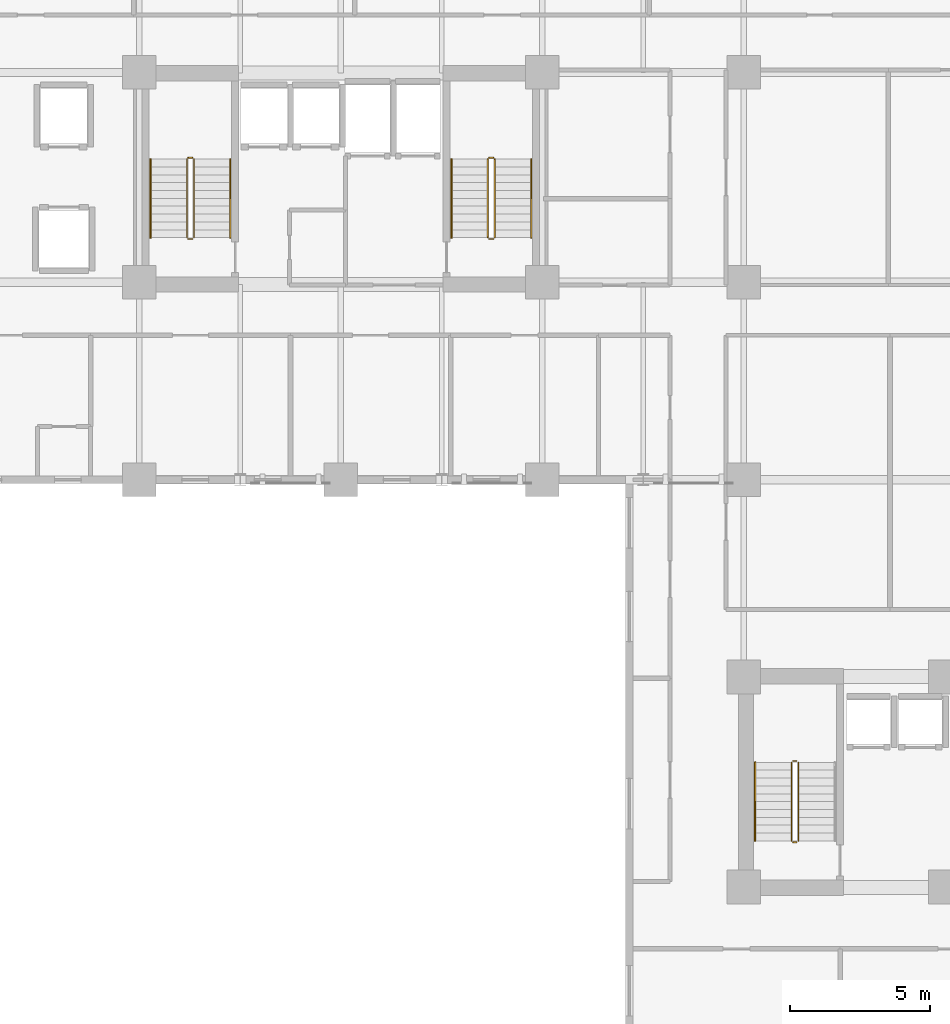
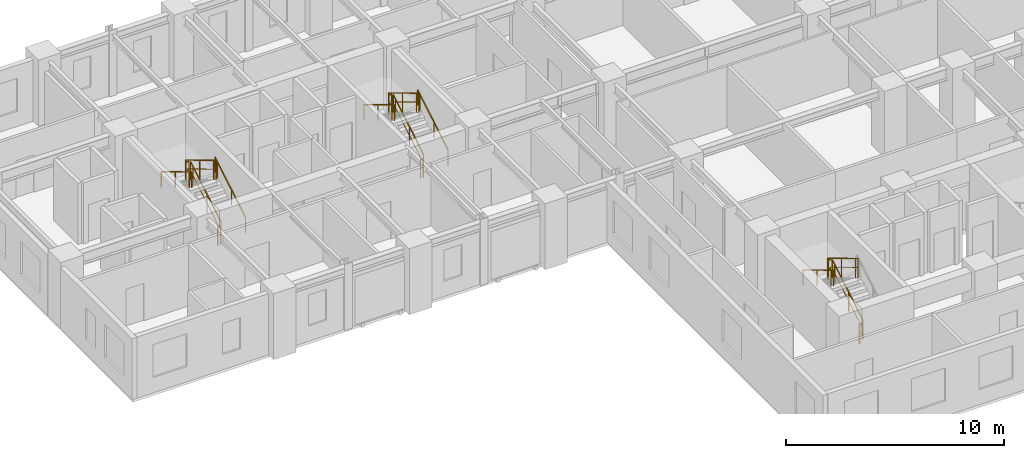
# One storey, part 9 of 11: 17 railings.
"""IFC4 building model written with IfcOpenShell, lengths in metres."""

from ifc_helpers import new_model, si_unit, direction, frame, origin, origin_2d, place, context, subcontext, project, spatial, rectangle, extrude, material, type_object, element, save


model = new_model("IFC4")

# Units and contexts
model_context = context("Model", 3, precision=1e-05, world=origin(), true_north=direction((0.0, 1.0)))
body_context = subcontext(model_context, "Body", "Model", "MODEL_VIEW")
ifc_project = project(units=[si_unit("LENGTHUNIT", "METRE"), si_unit("AREAUNIT", "SQUARE_METRE"), si_unit("VOLUMEUNIT", "CUBIC_METRE"), si_unit("PLANEANGLEUNIT", "RADIAN"), si_unit("MASSUNIT", "GRAM", prefix="KILO")], contexts=[model_context])

# Site, building, storey
site_placement = place(None, origin())
site = spatial("IfcSite", under=ifc_project, at=site_placement, CompositionType="ELEMENT")
building_placement = place(site_placement, origin())
building = spatial("IfcBuilding", under=site, at=building_placement, Name="Kaliganga Portal Commons", CompositionType="ELEMENT")
storey_placement = place(building_placement, frame((0.0, 0.0, 104.5)))
storey = spatial("IfcBuildingStorey", under=building, at=storey_placement, Name="L26", CompositionType="ELEMENT", Elevation=104.5)

# Railings
ifc_material_1 = material(Name="Galvanized Painted Steel Balustrade", Category="steel")
railing_type_1 = type_object("IfcRailingType", Name="RLG-STAIR-GRD", PredefinedType="GUARDRAIL", material=ifc_material_1)
railing_1_placement = place(storey_placement, frame((16.35009765625, 30.25, 0.168212890625)))
element("IfcRailing", 1, at=railing_1_placement, inside=storey, type_object=railing_type_1, Name="L26 ST-A1 stair guard 1", PredefinedType="GUARDRAIL", context=body_context, shape_type="SweptSolid", body=[
    extrude(rectangle(XDim=0.048095703125, YDim=0.048095703125, at=origin_2d()), frame((0.0, 0.0, 1.072021484375), z_axis=(0.0, 0.857242210791, 0.514913383045), x_axis=(-1.0, 0.0, 0.0)), (0.0, 0.0, 1.0), 3.266357421875),
    extrude(rectangle(XDim=0.028076171875, YDim=0.028076171875, at=origin_2d()), frame((0.0, 0.0, 0.572021484375), z_axis=(0.0, 0.857242210791, 0.514913383045), x_axis=(-1.0, 0.0, 0.0)), (0.0, 0.0, 1.0), 3.266357421875),
    extrude(rectangle(XDim=0.0419921875, YDim=0.0419921875, at=origin_2d()), origin(), (0.0, 0.0, 1.0), 1.052001953125),
    extrude(rectangle(XDim=0.0419921875, YDim=0.0419921875, at=origin_2d()), frame((0.0, 1.285888671875, 0.7724609375)), (0.0, 0.0, 1.0), 1.052001953125),
    extrude(rectangle(XDim=0.0419921875, YDim=0.0419921875, at=origin_2d()), frame((0.0, 2.57177734375, 1.544677734375)), (0.0, 0.0, 1.0), 1.052001953125),
    extrude(rectangle(XDim=0.0419921875, YDim=0.0419921875, at=origin_2d()), frame((0.0, 2.800048828125, 1.681884765625)), (0.0, 0.0, 1.0), 1.052001953125),
])
railing_2_placement = place(storey_placement, frame((16.300048828125, 33.10009765625, 1.85009765625)))
element("IfcRailing", 2, at=railing_2_placement, inside=storey, type_object=railing_type_1, Name="L26 ST-A1 stair guard 2", PredefinedType="GUARDRAIL", context=body_context, shape_type="SweptSolid", body=[
    extrude(rectangle(XDim=0.048095703125, YDim=0.048095703125, at=origin_2d()), frame((0.0, 0.0, 1.076171875), z_axis=(-1.0, 0.0, 0.0), x_axis=(0.0, -1.0, 0.0)), (0.0, 0.0, 1.0), 0.150146484375),
    extrude(rectangle(XDim=0.028076171875, YDim=0.028076171875, at=origin_2d()), frame((0.0, 0.0, 0.572021484375), z_axis=(-1.0, 0.0, 0.0), x_axis=(0.0, -1.0, 0.0)), (0.0, 0.0, 1.0), 0.150146484375),
    extrude(rectangle(XDim=0.0419921875, YDim=0.0419921875, at=origin_2d()), origin(), (0.0, 0.0, 1.0), 1.052001953125),
    extrude(rectangle(XDim=0.0419921875, YDim=0.0419921875, at=origin_2d()), frame((-0.150146484375, 0.0, 0.0)), (0.0, 0.0, 1.0), 1.052001953125),
])
railing_3_placement = place(storey_placement, frame((16.10009765625, 33.050048828125, 2.01806640625)))
element("IfcRailing", 3, at=railing_3_placement, inside=storey, type_object=railing_type_1, Name="L26 ST-A1 stair guard 3", PredefinedType="GUARDRAIL", context=body_context, shape_type="SweptSolid", body=[
    extrude(rectangle(XDim=0.048095703125, YDim=0.048095703125, at=origin_2d()), frame((0.0, 0.0, 1.072021484375), z_axis=(0.0, -0.857242210791, 0.514913383045), x_axis=(1.0, 0.0, 0.0)), (0.0, 0.0, 1.0), 3.266357421875),
    extrude(rectangle(XDim=0.028076171875, YDim=0.028076171875, at=origin_2d()), frame((0.0, 0.0, 0.572021484375), z_axis=(0.0, -0.857242210791, 0.514913383045), x_axis=(1.0, 0.0, 0.0)), (0.0, 0.0, 1.0), 3.266357421875),
    extrude(rectangle(XDim=0.0419921875, YDim=0.0419921875, at=origin_2d()), origin(), (0.0, 0.0, 1.0), 1.052001953125),
    extrude(rectangle(XDim=0.0419921875, YDim=0.0419921875, at=origin_2d()), frame((0.0, -1.285888671875, 0.7724609375)), (0.0, 0.0, 1.0), 1.052001953125),
    extrude(rectangle(XDim=0.0419921875, YDim=0.0419921875, at=origin_2d()), frame((0.0, -2.57177734375, 1.544677734375)), (0.0, 0.0, 1.0), 1.052001953125),
    extrude(rectangle(XDim=0.0419921875, YDim=0.0419921875, at=origin_2d()), frame((0.0, -2.800048828125, 1.681884765625)), (0.0, 0.0, 1.0), 1.052001953125),
])
railing_4_placement = place(storey_placement, frame((16.300048828125, 30.199951171875, 0.0)))
element("IfcRailing", 4, at=railing_4_placement, inside=storey, type_object=railing_type_1, Name="L26 ST-A1 stair guard 4", PredefinedType="GUARDRAIL", context=body_context, shape_type="SweptSolid", body=[
    extrude(rectangle(XDim=0.048095703125, YDim=0.048095703125, at=origin_2d()), frame((0.0, 0.0, 1.076171875), z_axis=(-1.0, 0.0, 0.0), x_axis=(0.0, -1.0, 0.0)), (0.0, 0.0, 1.0), 0.150146484375),
    extrude(rectangle(XDim=0.028076171875, YDim=0.028076171875, at=origin_2d()), frame((0.0, 0.0, 0.572021484375), z_axis=(-1.0, 0.0, 0.0), x_axis=(0.0, -1.0, 0.0)), (0.0, 0.0, 1.0), 0.150146484375),
    extrude(rectangle(XDim=0.0419921875, YDim=0.0419921875, at=origin_2d()), origin(), (0.0, 0.0, 1.0), 1.052001953125),
    extrude(rectangle(XDim=0.0419921875, YDim=0.0419921875, at=origin_2d()), frame((-0.150146484375, 0.0, 0.0)), (0.0, 0.0, 1.0), 1.052001953125),
])
railing_5_placement = place(storey_placement, frame((27.10009765625, 30.25, 0.168212890625)))
element("IfcRailing", 5, at=railing_5_placement, inside=storey, type_object=railing_type_1, Name="L26 ST-A2 stair guard 1", PredefinedType="GUARDRAIL", context=body_context, shape_type="SweptSolid", body=[
    extrude(rectangle(XDim=0.048095703125, YDim=0.048095703125, at=origin_2d()), frame((0.0, 0.0, 1.072021484375), z_axis=(0.0, 0.857242210791, 0.514913383045), x_axis=(-1.0, 0.0, 0.0)), (0.0, 0.0, 1.0), 3.266357421875),
    extrude(rectangle(XDim=0.028076171875, YDim=0.028076171875, at=origin_2d()), frame((0.0, 0.0, 0.572021484375), z_axis=(0.0, 0.857242210791, 0.514913383045), x_axis=(-1.0, 0.0, 0.0)), (0.0, 0.0, 1.0), 3.266357421875),
    extrude(rectangle(XDim=0.0419921875, YDim=0.0419921875, at=origin_2d()), origin(), (0.0, 0.0, 1.0), 1.052001953125),
    extrude(rectangle(XDim=0.0419921875, YDim=0.0419921875, at=origin_2d()), frame((0.0, 1.285888671875, 0.7724609375)), (0.0, 0.0, 1.0), 1.052001953125),
    extrude(rectangle(XDim=0.0419921875, YDim=0.0419921875, at=origin_2d()), frame((0.0, 2.57177734375, 1.544677734375)), (0.0, 0.0, 1.0), 1.052001953125),
    extrude(rectangle(XDim=0.0419921875, YDim=0.0419921875, at=origin_2d()), frame((0.0, 2.800048828125, 1.681884765625)), (0.0, 0.0, 1.0), 1.052001953125),
])
railing_6_placement = place(storey_placement, frame((27.050048828125, 33.10009765625, 1.85009765625)))
element("IfcRailing", 6, at=railing_6_placement, inside=storey, type_object=railing_type_1, Name="L26 ST-A2 stair guard 2", PredefinedType="GUARDRAIL", context=body_context, shape_type="SweptSolid", body=[
    extrude(rectangle(XDim=0.048095703125, YDim=0.048095703125, at=origin_2d()), frame((0.0, 0.0, 1.076171875), z_axis=(-1.0, 0.0, 0.0), x_axis=(0.0, -1.0, 0.0)), (0.0, 0.0, 1.0), 0.150146484375),
    extrude(rectangle(XDim=0.028076171875, YDim=0.028076171875, at=origin_2d()), frame((0.0, 0.0, 0.572021484375), z_axis=(-1.0, 0.0, 0.0), x_axis=(0.0, -1.0, 0.0)), (0.0, 0.0, 1.0), 0.150146484375),
    extrude(rectangle(XDim=0.0419921875, YDim=0.0419921875, at=origin_2d()), origin(), (0.0, 0.0, 1.0), 1.052001953125),
    extrude(rectangle(XDim=0.0419921875, YDim=0.0419921875, at=origin_2d()), frame((-0.150146484375, 0.0, 0.0)), (0.0, 0.0, 1.0), 1.052001953125),
])
railing_7_placement = place(storey_placement, frame((26.85009765625, 33.050048828125, 2.01806640625)))
element("IfcRailing", 7, at=railing_7_placement, inside=storey, type_object=railing_type_1, Name="L26 ST-A2 stair guard 3", PredefinedType="GUARDRAIL", context=body_context, shape_type="SweptSolid", body=[
    extrude(rectangle(XDim=0.048095703125, YDim=0.048095703125, at=origin_2d()), frame((0.0, 0.0, 1.072021484375), z_axis=(0.0, -0.857242210791, 0.514913383045), x_axis=(1.0, 0.0, 0.0)), (0.0, 0.0, 1.0), 3.266357421875),
    extrude(rectangle(XDim=0.028076171875, YDim=0.028076171875, at=origin_2d()), frame((0.0, 0.0, 0.572021484375), z_axis=(0.0, -0.857242210791, 0.514913383045), x_axis=(1.0, 0.0, 0.0)), (0.0, 0.0, 1.0), 3.266357421875),
    extrude(rectangle(XDim=0.0419921875, YDim=0.0419921875, at=origin_2d()), origin(), (0.0, 0.0, 1.0), 1.052001953125),
    extrude(rectangle(XDim=0.0419921875, YDim=0.0419921875, at=origin_2d()), frame((0.0, -1.285888671875, 0.7724609375)), (0.0, 0.0, 1.0), 1.052001953125),
    extrude(rectangle(XDim=0.0419921875, YDim=0.0419921875, at=origin_2d()), frame((0.0, -2.57177734375, 1.544677734375)), (0.0, 0.0, 1.0), 1.052001953125),
    extrude(rectangle(XDim=0.0419921875, YDim=0.0419921875, at=origin_2d()), frame((0.0, -2.800048828125, 1.681884765625)), (0.0, 0.0, 1.0), 1.052001953125),
])
railing_8_placement = place(storey_placement, frame((27.050048828125, 30.199951171875, 0.0)))
element("IfcRailing", 8, at=railing_8_placement, inside=storey, type_object=railing_type_1, Name="L26 ST-A2 stair guard 4", PredefinedType="GUARDRAIL", context=body_context, shape_type="SweptSolid", body=[
    extrude(rectangle(XDim=0.048095703125, YDim=0.048095703125, at=origin_2d()), frame((0.0, 0.0, 1.076171875), z_axis=(-1.0, 0.0, 0.0), x_axis=(0.0, -1.0, 0.0)), (0.0, 0.0, 1.0), 0.150146484375),
    extrude(rectangle(XDim=0.028076171875, YDim=0.028076171875, at=origin_2d()), frame((0.0, 0.0, 0.572021484375), z_axis=(-1.0, 0.0, 0.0), x_axis=(0.0, -1.0, 0.0)), (0.0, 0.0, 1.0), 0.150146484375),
    extrude(rectangle(XDim=0.0419921875, YDim=0.0419921875, at=origin_2d()), origin(), (0.0, 0.0, 1.0), 1.052001953125),
    extrude(rectangle(XDim=0.0419921875, YDim=0.0419921875, at=origin_2d()), frame((-0.150146484375, 0.0, 0.0)), (0.0, 0.0, 1.0), 1.052001953125),
])
railing_9_placement = place(storey_placement, frame((37.949951171875, 8.699951171875, 0.168212890625)))
element("IfcRailing", 9, at=railing_9_placement, inside=storey, type_object=railing_type_1, Name="L26 ST-B1 stair guard 1", PredefinedType="GUARDRAIL", context=body_context, shape_type="SweptSolid", body=[
    extrude(rectangle(XDim=0.048095703125, YDim=0.048095703125, at=origin_2d()), frame((0.0, 0.0, 1.072021484375), z_axis=(0.0, 0.857242210791, 0.514913383045), x_axis=(-1.0, 0.0, 0.0)), (0.0, 0.0, 1.0), 3.266357421875),
    extrude(rectangle(XDim=0.028076171875, YDim=0.028076171875, at=origin_2d()), frame((0.0, 0.0, 0.572021484375), z_axis=(0.0, 0.857242210791, 0.514913383045), x_axis=(-1.0, 0.0, 0.0)), (0.0, 0.0, 1.0), 3.266357421875),
    extrude(rectangle(XDim=0.0419921875, YDim=0.0419921875, at=origin_2d()), origin(), (0.0, 0.0, 1.0), 1.052001953125),
    extrude(rectangle(XDim=0.0419921875, YDim=0.0419921875, at=origin_2d()), frame((0.0, 1.285888671875, 0.7724609375)), (0.0, 0.0, 1.0), 1.052001953125),
    extrude(rectangle(XDim=0.0419921875, YDim=0.0419921875, at=origin_2d()), frame((0.0, 2.57177734375, 1.544677734375)), (0.0, 0.0, 1.0), 1.052001953125),
    extrude(rectangle(XDim=0.0419921875, YDim=0.0419921875, at=origin_2d()), frame((0.0, 2.800048828125, 1.681884765625)), (0.0, 0.0, 1.0), 1.052001953125),
])
railing_10_placement = place(storey_placement, frame((37.89990234375, 11.550048828125, 1.85009765625)))
element("IfcRailing", 10, at=railing_10_placement, inside=storey, type_object=railing_type_1, Name="L26 ST-B1 stair guard 2", PredefinedType="GUARDRAIL", context=body_context, shape_type="SweptSolid", body=[
    extrude(rectangle(XDim=0.048095703125, YDim=0.048095703125, at=origin_2d()), frame((0.0, 0.0, 1.076171875), z_axis=(-1.0, 0.0, 0.0), x_axis=(0.0, -1.0, 0.0)), (0.0, 0.0, 1.0), 0.14990234375),
    extrude(rectangle(XDim=0.028076171875, YDim=0.028076171875, at=origin_2d()), frame((0.0, 0.0, 0.572021484375), z_axis=(-1.0, 0.0, 0.0), x_axis=(0.0, -1.0, 0.0)), (0.0, 0.0, 1.0), 0.14990234375),
    extrude(rectangle(XDim=0.0419921875, YDim=0.0419921875, at=origin_2d()), frame((-0.14990234375, 0.0, 0.0)), (0.0, 0.0, 1.0), 1.052001953125),
])
railing_11_placement = place(storey_placement, frame((37.699951171875, 11.5, 2.01806640625)))
element("IfcRailing", 11, at=railing_11_placement, inside=storey, type_object=railing_type_1, Name="L26 ST-B1 stair guard 3", PredefinedType="GUARDRAIL", context=body_context, shape_type="SweptSolid", body=[
    extrude(rectangle(XDim=0.048095703125, YDim=0.048095703125, at=origin_2d()), frame((0.0, 0.0, 1.072021484375), z_axis=(0.0, -0.857242210791, 0.514913383045), x_axis=(1.0, 0.0, 0.0)), (0.0, 0.0, 1.0), 3.266357421875),
    extrude(rectangle(XDim=0.028076171875, YDim=0.028076171875, at=origin_2d()), frame((0.0, 0.0, 0.572021484375), z_axis=(0.0, -0.857242210791, 0.514913383045), x_axis=(1.0, 0.0, 0.0)), (0.0, 0.0, 1.0), 3.266357421875),
    extrude(rectangle(XDim=0.0419921875, YDim=0.0419921875, at=origin_2d()), origin(), (0.0, 0.0, 1.0), 1.052001953125),
    extrude(rectangle(XDim=0.0419921875, YDim=0.0419921875, at=origin_2d()), frame((0.0, -1.285888671875, 0.7724609375)), (0.0, 0.0, 1.0), 1.052001953125),
    extrude(rectangle(XDim=0.0419921875, YDim=0.0419921875, at=origin_2d()), frame((0.0, -2.57177734375, 1.544677734375)), (0.0, 0.0, 1.0), 1.052001953125),
    extrude(rectangle(XDim=0.0419921875, YDim=0.0419921875, at=origin_2d()), frame((0.0, -2.800048828125, 1.681884765625)), (0.0, 0.0, 1.0), 1.052001953125),
])
railing_12_placement = place(storey_placement, frame((37.89990234375, 8.64990234375, 0.0)))
element("IfcRailing", 12, at=railing_12_placement, inside=storey, type_object=railing_type_1, Name="L26 ST-B1 stair guard 4", PredefinedType="GUARDRAIL", context=body_context, shape_type="SweptSolid", body=[
    extrude(rectangle(XDim=0.048095703125, YDim=0.048095703125, at=origin_2d()), frame((0.0, 0.0, 1.076171875), z_axis=(-1.0, 0.0, 0.0), x_axis=(0.0, -1.0, 0.0)), (0.0, 0.0, 1.0), 0.14990234375),
    extrude(rectangle(XDim=0.028076171875, YDim=0.028076171875, at=origin_2d()), frame((0.0, 0.0, 0.572021484375), z_axis=(-1.0, 0.0, 0.0), x_axis=(0.0, -1.0, 0.0)), (0.0, 0.0, 1.0), 0.14990234375),
    extrude(rectangle(XDim=0.0419921875, YDim=0.0419921875, at=origin_2d()), frame((-0.14990234375, 0.0, 0.0)), (0.0, 0.0, 1.0), 1.052001953125),
])
ifc_material_2 = material(Name="Brushed Stainless Steel 316", Category="steel")
railing_type_2 = type_object("IfcRailingType", Name="RLG-STAIR-HR", PredefinedType="HANDRAIL", material=ifc_material_2)
railing_13_placement = place(storey_placement, frame((17.64990234375, 30.25, 0.168212890625)))
element("IfcRailing", 13, at=railing_13_placement, inside=storey, type_object=railing_type_2, Name="L26 ST-A1 stair handrail 1", PredefinedType="HANDRAIL", context=body_context, shape_type="SweptSolid", body=[
    extrude(rectangle(XDim=0.048095703125, YDim=0.048095703125, at=origin_2d()), frame((0.0, 0.0, 0.871826171875), z_axis=(0.0, 0.857242210791, 0.514913383045), x_axis=(-1.0, 0.0, 0.0)), (0.0, 0.0, 1.0), 3.266357421875),
    extrude(rectangle(XDim=0.0419921875, YDim=0.0419921875, at=origin_2d()), origin(), (0.0, 0.0, 1.0), 0.851806640625),
    extrude(rectangle(XDim=0.0419921875, YDim=0.0419921875, at=origin_2d()), frame((0.0, 1.285888671875, 0.7724609375)), (0.0, 0.0, 1.0), 0.851806640625),
    extrude(rectangle(XDim=0.0419921875, YDim=0.0419921875, at=origin_2d()), frame((0.0, 2.57177734375, 1.544677734375)), (0.0, 0.0, 1.0), 0.851806640625),
    extrude(rectangle(XDim=0.0419921875, YDim=0.0419921875, at=origin_2d()), frame((0.0, 2.800048828125, 1.681884765625)), (0.0, 0.0, 1.0), 0.851806640625),
])
railing_14_placement = place(storey_placement, frame((14.800048828125, 33.050048828125, 2.01806640625)))
element("IfcRailing", 14, at=railing_14_placement, inside=storey, type_object=railing_type_2, Name="L26 ST-A1 stair handrail 2", PredefinedType="HANDRAIL", context=body_context, shape_type="SweptSolid", body=[
    extrude(rectangle(XDim=0.048095703125, YDim=0.048095703125, at=origin_2d()), frame((0.0, 0.0, 0.871826171875), z_axis=(0.0, -0.857242210791, 0.514913383045), x_axis=(1.0, 0.0, 0.0)), (0.0, 0.0, 1.0), 3.266357421875),
    extrude(rectangle(XDim=0.0419921875, YDim=0.0419921875, at=origin_2d()), origin(), (0.0, 0.0, 1.0), 0.851806640625),
    extrude(rectangle(XDim=0.0419921875, YDim=0.0419921875, at=origin_2d()), frame((0.0, -1.285888671875, 0.7724609375)), (0.0, 0.0, 1.0), 0.851806640625),
    extrude(rectangle(XDim=0.0419921875, YDim=0.0419921875, at=origin_2d()), frame((0.0, -2.57177734375, 1.544677734375)), (0.0, 0.0, 1.0), 0.851806640625),
    extrude(rectangle(XDim=0.0419921875, YDim=0.0419921875, at=origin_2d()), frame((0.0, -2.800048828125, 1.681884765625)), (0.0, 0.0, 1.0), 0.851806640625),
])
railing_15_placement = place(storey_placement, frame((28.39990234375, 30.25, 0.168212890625)))
element("IfcRailing", 15, at=railing_15_placement, inside=storey, type_object=railing_type_2, Name="L26 ST-A2 stair handrail 1", PredefinedType="HANDRAIL", context=body_context, shape_type="SweptSolid", body=[
    extrude(rectangle(XDim=0.048095703125, YDim=0.048095703125, at=origin_2d()), frame((0.0, 0.0, 0.871826171875), z_axis=(0.0, 0.857242210791, 0.514913383045), x_axis=(-1.0, 0.0, 0.0)), (0.0, 0.0, 1.0), 3.266357421875),
    extrude(rectangle(XDim=0.0419921875, YDim=0.0419921875, at=origin_2d()), origin(), (0.0, 0.0, 1.0), 0.851806640625),
    extrude(rectangle(XDim=0.0419921875, YDim=0.0419921875, at=origin_2d()), frame((0.0, 1.285888671875, 0.7724609375)), (0.0, 0.0, 1.0), 0.851806640625),
    extrude(rectangle(XDim=0.0419921875, YDim=0.0419921875, at=origin_2d()), frame((0.0, 2.57177734375, 1.544677734375)), (0.0, 0.0, 1.0), 0.851806640625),
    extrude(rectangle(XDim=0.0419921875, YDim=0.0419921875, at=origin_2d()), frame((0.0, 2.800048828125, 1.681884765625)), (0.0, 0.0, 1.0), 0.851806640625),
])
for number, where, name in (
    (16, (25.550048828125, 33.050048828125, 2.01806640625), "L26 ST-A2 stair handrail 2"),
    (17, (36.39990234375, 11.5, 2.01806640625), "L26 ST-B1 stair handrail 2"),
):
    element("IfcRailing", number, at=place(storey_placement, frame(where)), inside=storey, type_object=railing_type_2, Name=name, PredefinedType="HANDRAIL", context=body_context, shape_type="SweptSolid", body=[
        extrude(rectangle(XDim=0.048095703125, YDim=0.048095703125, at=origin_2d()), frame((0.0, 0.0, 0.871826171875), z_axis=(0.0, -0.857242210791, 0.514913383045), x_axis=(1.0, 0.0, 0.0)), (0.0, 0.0, 1.0), 3.266357421875),
        extrude(rectangle(XDim=0.0419921875, YDim=0.0419921875, at=origin_2d()), origin(), (0.0, 0.0, 1.0), 0.851806640625),
        extrude(rectangle(XDim=0.0419921875, YDim=0.0419921875, at=origin_2d()), frame((0.0, -1.285888671875, 0.7724609375)), (0.0, 0.0, 1.0), 0.851806640625),
        extrude(rectangle(XDim=0.0419921875, YDim=0.0419921875, at=origin_2d()), frame((0.0, -2.57177734375, 1.544677734375)), (0.0, 0.0, 1.0), 0.851806640625),
        extrude(rectangle(XDim=0.0419921875, YDim=0.0419921875, at=origin_2d()), frame((0.0, -2.800048828125, 1.681884765625)), (0.0, 0.0, 1.0), 0.851806640625),
    ])

save(model, "model.ifc")
